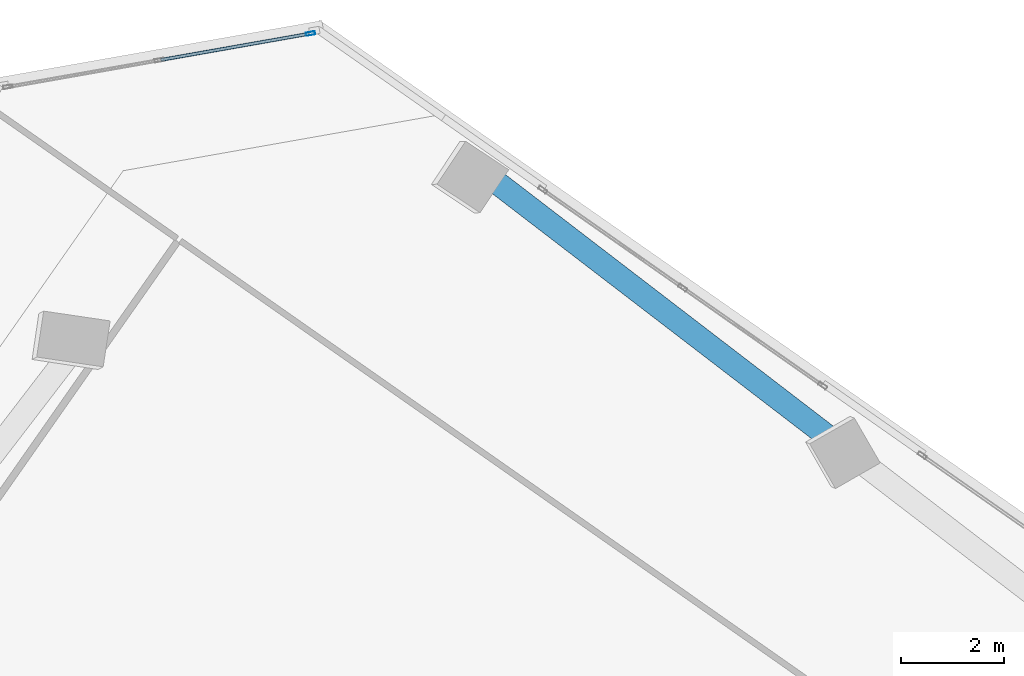
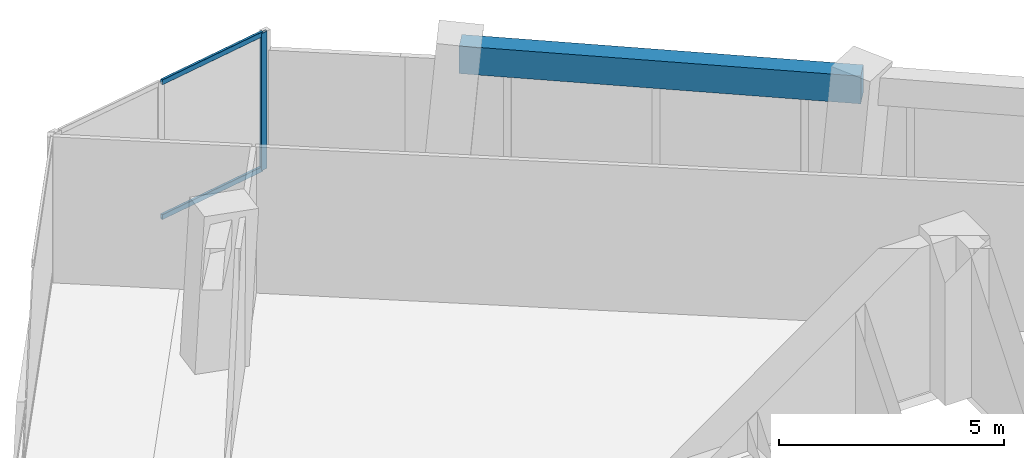
# One storey, part 13 of 21: 3 members, 1 beam, 1 element without a shape of its own.
"""IFC4 building model written with IfcOpenShell, lengths in metres."""

from ifc_helpers import new_model, si_unit, direction, frame, origin, origin_2d, place, context, subcontext, project, spatial, rectangle, hollow_rectangle, extrude, source, transform, mapped, material, material_profile, profile_set, type_object, element, aggregate, save


model = new_model("IFC4")

# Units and contexts
model_context = context("Model", 3, precision=1e-05, world=origin(), true_north=direction((0.0, 1.0)))
body_context = subcontext(model_context, "Body", "Model", "MODEL_VIEW")
ifc_project = project(units=[si_unit("LENGTHUNIT", "METRE"), si_unit("AREAUNIT", "SQUARE_METRE"), si_unit("VOLUMEUNIT", "CUBIC_METRE"), si_unit("PLANEANGLEUNIT", "RADIAN"), si_unit("MASSUNIT", "GRAM", prefix="KILO")], contexts=[model_context])

# Site, building, storey
site_placement = place(None, origin())
site = spatial("IfcSite", under=ifc_project, at=site_placement, CompositionType="ELEMENT")
building_placement = place(site_placement, origin())
building = spatial("IfcBuilding", under=site, at=building_placement, Name="Torre Montelarca", CompositionType="ELEMENT")
storey_placement = place(building_placement, frame((0.0, 0.0, 200.199951171875)))
storey = spatial("IfcBuildingStorey", under=building, at=storey_placement, Name="L45", CompositionType="ELEMENT", Elevation=200.199951171875)

# Beam
ifc_material_1 = material(Name="Concrete C55/67", Category="concrete")
ifc_material_profile_1 = material_profile(ifc_material_1, rectangle(XDim=0.449951171875, YDim=0.75, at=origin_2d()), Name="RCB450X750", Category="concrete")
ifc_profile_set_1 = profile_set([ifc_material_profile_1], Name="Concrete C55/67")
beam_type = type_object("IfcBeamType", Name="BM-SP-RC750-EXT", PredefinedType="SPANDREL", material=ifc_profile_set_1)
shared_shape_1 = source(origin(), body_context, "Body", "SweptSolid", [
    extrude(rectangle(XDim=0.449951171875, YDim=0.75, at=origin_2d()), origin(), (0.0, 0.0, 1.0), 9.0),
])
beam_placement = place(storey_placement, frame((20.805908203125, 51.62890625, 3.5849609375), z_axis=(0.793343450023, -0.608774318041, 0.0), x_axis=(0.608774318041, 0.793343450023, 0.0)))
element("IfcBeam", 1, at=beam_placement, inside=storey, type_object=beam_type, Name="L45 Grid Girder X 9.0-18.0 at Y=47.1", PredefinedType="SPANDREL", context=body_context, shape_type="MappedRepresentation", body=[
    mapped(shared_shape_1, transform((0.0, 0.0, 0.0), scale=1.0)),
])

# Curtain wall, members
ifc_material_2 = material(Name="Insulated low-E laminated glass", Category="glass")
curtain_wall_type = type_object("IfcCurtainWallType", Name="CW-SYS-Z2", PredefinedType="USERDEFINED", material=ifc_material_2)
curtain_wall_placement = place(storey_placement, origin())
curtain_wall = element("IfcCurtainWall", 2, at=curtain_wall_placement, inside=storey, type_object=curtain_wall_type, Name="L45 Curtain Wall Run CW-T3-L45-E09-B1", ObjectType="UNITISED GLAZING", PredefinedType="USERDEFINED")
ifc_material_3 = material(Name="Anodised aluminium AA 6063-T6", Category="aluminium")
ifc_material_profile_2 = material_profile(ifc_material_3, hollow_rectangle(XDim=0.06494140625, YDim=0.139892578125, WallThickness=0.00390625, InnerFilletRadius=0.00390625, OuterFilletRadius=0.008056640625, at=origin_2d()), Name="ALU65X140X4", Category="aluminium")
ifc_profile_set_2 = profile_set([ifc_material_profile_2], Name="Anodised aluminium AA 6063-T6")
member_type_1 = type_object("IfcMemberType", Name="CWT-ALU140", PredefinedType="USERDEFINED", material=ifc_profile_set_2)
shared_shape_2 = source(origin(), body_context, "Body", "SweptSolid", [
    extrude(hollow_rectangle(XDim=0.06494140625, YDim=0.139892578125, WallThickness=0.00390625, InnerFilletRadius=0.00390625, OuterFilletRadius=0.008056640625, at=origin_2d()), origin(), (0.0, 0.0, 1.0), 2.918701171875),
])
member_1_placement = place(storey_placement, frame((17.31689453125, 54.39404296875, 0.032470703125), z_axis=(-0.984806287351, -0.173656489641, 0.0), x_axis=(0.173656489641, -0.984806287351, 0.0)))
member_1 = element("IfcMember", 3, at=member_1_placement, type_object=member_type_1, Name="CW transom 1.1", ObjectType="TRANSOM", PredefinedType="USERDEFINED", context=body_context, shape_type="MappedRepresentation", body=[
    mapped(shared_shape_2, transform((0.0, 0.0, 0.0), scale=1.0)),
])
member_2_placement = place(storey_placement, frame((17.31689453125, 54.39404296875, 3.6875), z_axis=(-0.984806287351, -0.173656489641, 0.0), x_axis=(0.173656489641, -0.984806287351, 0.0)))
member_2 = element("IfcMember", 4, at=member_2_placement, type_object=member_type_1, Name="CW transom 1.2", ObjectType="TRANSOM", PredefinedType="USERDEFINED", context=body_context, shape_type="MappedRepresentation", body=[
    mapped(shared_shape_2, transform((0.0, 0.0, 0.0), scale=1.0)),
])
ifc_material_profile_3 = material_profile(ifc_material_3, hollow_rectangle(XDim=0.06494140625, YDim=0.179931640625, WallThickness=0.00390625, InnerFilletRadius=0.00390625, OuterFilletRadius=0.008056640625, at=origin_2d()), Name="ALU65X180X4", Category="aluminium")
ifc_profile_set_3 = profile_set([ifc_material_profile_3], Name="Anodised aluminium AA 6063-T6")
member_type_2 = type_object("IfcMemberType", Name="CWM-ALU180", PredefinedType="MULLION", material=ifc_profile_set_3)
shared_shape_3 = source(origin(), body_context, "Body", "SweptSolid", [
    extrude(hollow_rectangle(XDim=0.06494140625, YDim=0.179931640625, WallThickness=0.00390625, InnerFilletRadius=0.00390625, OuterFilletRadius=0.008056640625, at=origin_2d()), origin(), (0.0, 0.0, 1.0), 3.719970703125),
])
member_3_placement = place(storey_placement, frame((17.348876953125, 54.399658203125, 0.0), z_axis=(0.0, 0.0, 1.0), x_axis=(0.173634019333, -0.984810249404, 0.0)))
member_3 = element("IfcMember", 5, at=member_3_placement, type_object=member_type_2, Name="CW mullion 1", PredefinedType="MULLION", context=body_context, shape_type="MappedRepresentation", body=[
    mapped(shared_shape_3, transform((0.0, 0.0, 0.0), scale=1.0)),
])
aggregate(curtain_wall, [member_3, member_1, member_2])

save(model, "model.ifc")
